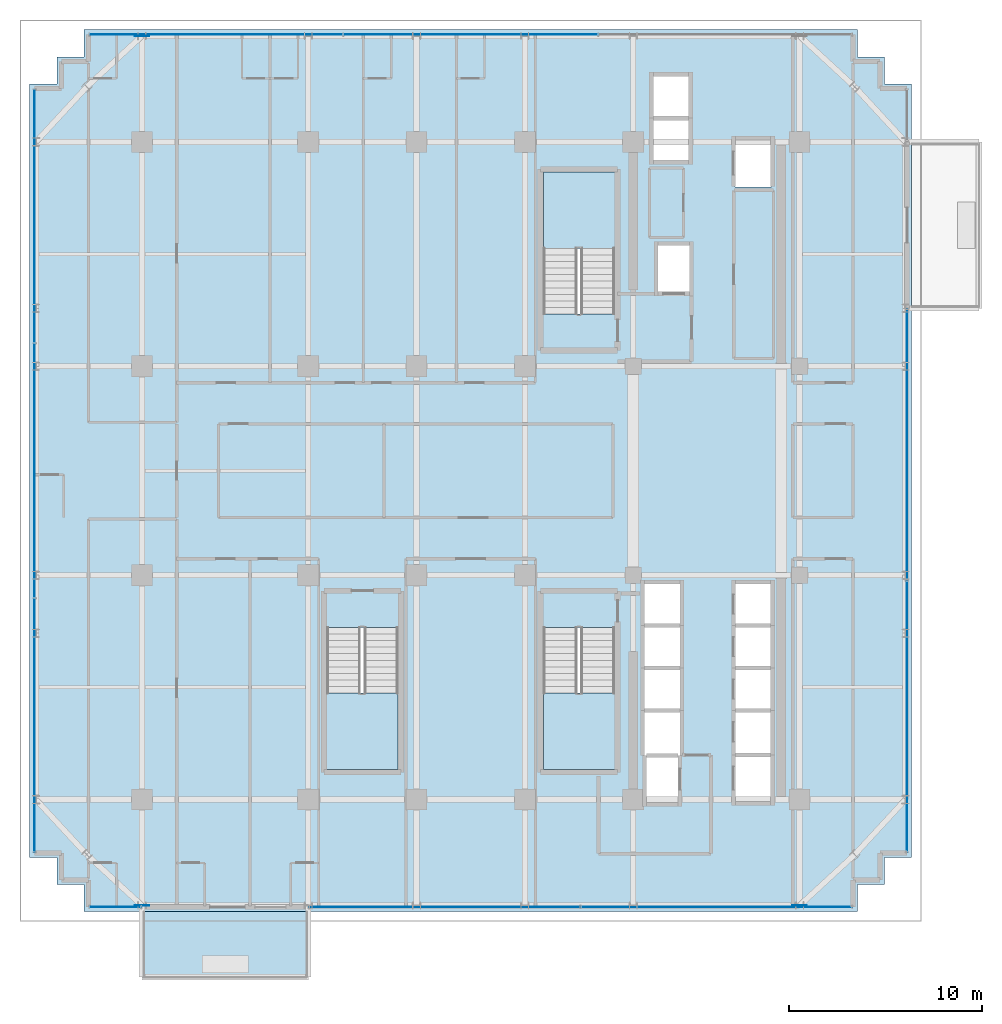
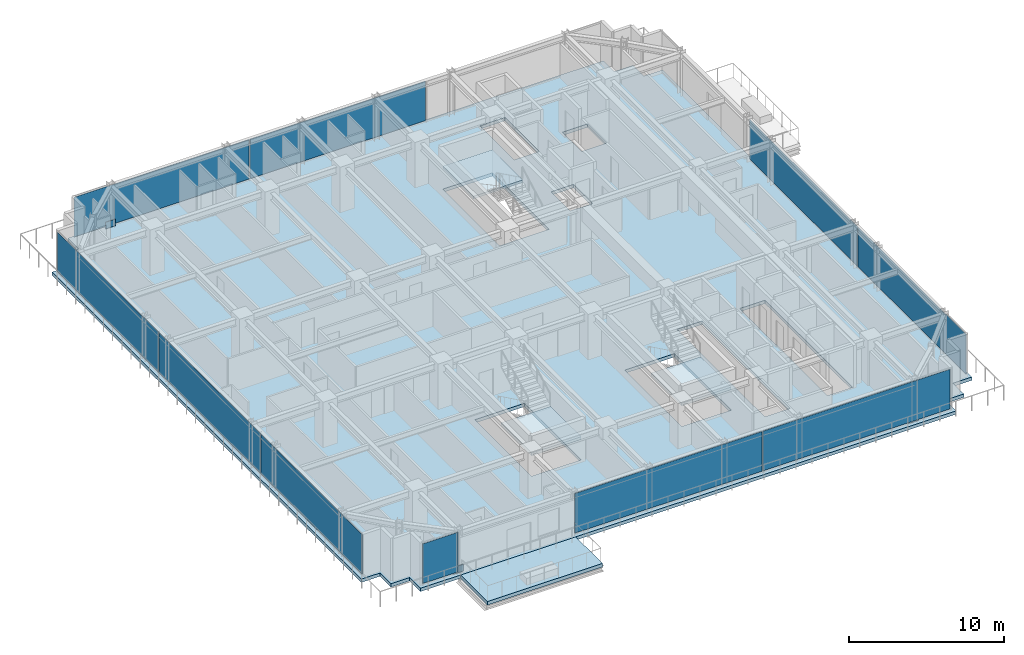
# One storey, part 24 of 33: 13 plates, 5 slabs, 8 elements without a shape of their own.
"""IFC4 building model written with IfcOpenShell, lengths in metres."""

from ifc_helpers import new_model, si_unit, direction, frame, origin, origin_2d, place, context, subcontext, project, spatial, polyline, rectangle, outline, extrude, source, transform, mapped, material, layer, layer_set, type_object, element, aggregate, save


model = new_model("IFC4")

# Units and contexts
model_context = context("Model", 3, precision=1e-05, world=origin(), true_north=direction((0.0, 1.0)))
body_context = subcontext(model_context, "Body", "Model", "MODEL_VIEW")
ifc_project = project(units=[si_unit("LENGTHUNIT", "METRE"), si_unit("AREAUNIT", "SQUARE_METRE"), si_unit("VOLUMEUNIT", "CUBIC_METRE"), si_unit("PLANEANGLEUNIT", "RADIAN"), si_unit("MASSUNIT", "GRAM", prefix="KILO")], contexts=[model_context])

# Site, building, storey
site_placement = place(None, origin())
site = spatial("IfcSite", under=ifc_project, at=site_placement, CompositionType="ELEMENT")
building_placement = place(site_placement, origin())
building = spatial("IfcBuilding", under=site, at=building_placement, Name="Nahalor Promenade Grand Hotel", CompositionType="ELEMENT")
storey_placement = place(building_placement, frame((0.0, 0.0, 149.0)))
storey = spatial("IfcBuildingStorey", under=building, at=storey_placement, Name="L37", CompositionType="ELEMENT", Elevation=149.0)

# Stair, slab
ifc_material_1 = material(Name="Concrete B-50 (C40/50)", Category="concrete")
stair_type_1 = type_object("IfcStairType", Name="Stair-ST1", PredefinedType="HALF_TURN_STAIR", material=ifc_material_1)
stair_1_placement = place(storey_placement, origin())
stair_1 = element("IfcStair", 1, at=stair_1_placement, inside=storey, type_object=stair_type_1, Name="L37 ST1", PredefinedType="HALF_TURN_STAIR")
ifc_layer_1 = layer(ifc_material_1, 0.199951171875)
ifc_layer_set_1 = layer_set([ifc_layer_1], Name="Concrete B-50 (C40/50)")
slab_type_1 = type_object("IfcSlabType", Name="Landing-ST1", PredefinedType="LANDING", material=ifc_layer_set_1)
slab_1_placement = place(storey_placement, frame((0.0, 0.0, 1.625)))
slab_1 = element("IfcSlab", 2, at=slab_1_placement, type_object=slab_type_1, Name="ST1 landing 1", PredefinedType="LANDING", context=body_context, shape_type="SweptSolid", body=[
    extrude(outline(polyline([(7.449951171875, 11.5), (7.449951171875, 15.449951171875), (3.75, 15.449951171875), (3.75, 11.5), (7.449951171875, 11.5)])), origin(), (0.0, 0.0, 1.0), 0.199951171875),
])
aggregate(stair_1, [slab_1])

stair_type_2 = type_object("IfcStairType", Name="Stair-ST2", PredefinedType="HALF_TURN_STAIR", material=ifc_material_1)
stair_2_placement = place(storey_placement, origin())
stair_2 = element("IfcStair", 3, at=stair_2_placement, inside=storey, type_object=stair_type_2, Name="L37 ST2", PredefinedType="HALF_TURN_STAIR")
ifc_layer_2 = layer(ifc_material_1, 0.2099609375)
ifc_layer_set_2 = layer_set([ifc_layer_2], Name="Concrete B-50 (C40/50)")
slab_type_2 = type_object("IfcSlabType", Name="Landing-ST2", PredefinedType="LANDING", material=ifc_layer_set_2)
slab_2_placement = place(storey_placement, frame((0.0, 0.0, 1.614990234375)))
slab_2 = element("IfcSlab", 4, at=slab_2_placement, type_object=slab_type_2, Name="ST2 landing 1", PredefinedType="LANDING", context=body_context, shape_type="SweptSolid", body=[
    extrude(outline(polyline([(3.75, -11.5), (3.75, -15.449951171875), (7.449951171875, -15.449951171875), (7.449951171875, -11.5), (3.75, -11.5)])), origin(), (0.0, 0.0, 1.0), 0.2099609375),
])
aggregate(stair_2, [slab_2])

stair_type_3 = type_object("IfcStairType", Name="Stair-ST3", PredefinedType="HALF_TURN_STAIR", material=ifc_material_1)
stair_3_placement = place(storey_placement, origin())
stair_3 = element("IfcStair", 5, at=stair_3_placement, inside=storey, type_object=stair_type_3, Name="L37 ST3", PredefinedType="HALF_TURN_STAIR")
ifc_layer_3 = layer(ifc_material_1, 0.219970703125)
ifc_layer_set_3 = layer_set([ifc_layer_3], Name="Concrete B-50 (C40/50)")
slab_type_3 = type_object("IfcSlabType", Name="Landing-ST3", PredefinedType="LANDING", material=ifc_layer_set_3)
slab_3_placement = place(storey_placement, frame((0.0, 0.0, 1.60498046875)))
slab_3 = element("IfcSlab", 6, at=slab_3_placement, type_object=slab_type_3, Name="ST3 landing 1", PredefinedType="LANDING", context=body_context, shape_type="SweptSolid", body=[
    extrude(outline(polyline([(-7.449951171875, -11.5), (-7.449951171875, -15.449951171875), (-3.75, -15.449951171875), (-3.75, -11.5), (-7.449951171875, -11.5)])), origin(), (0.0, 0.0, 1.0), 0.219970703125),
])
aggregate(stair_3, [slab_3])

# Slabs
ifc_layer_4 = layer(ifc_material_1, 0.280029296875)
ifc_layer_set_4 = layer_set([ifc_layer_4], Name="Concrete B-50 (C40/50)")
slab_type_4 = type_object("IfcSlabType", Name="Slab-Balcony-280", PredefinedType="FLOOR", material=ifc_layer_set_4)
slab_4_placement = place(storey_placement, frame((0.0, 0.0, -0.280029296875)))
element("IfcSlab", 7, at=slab_4_placement, inside=storey, type_object=slab_type_4, Name="L37 Cantilevered Planted Balcony 1", PredefinedType="FLOOR", context=body_context, shape_type="SweptSolid", body=[
    extrude(outline(polyline([(-17.0, -26.260009765625), (-8.39990234375, -26.260009765625), (-8.39990234375, -22.800048828125), (-17.0, -22.800048828125), (-17.0, -26.260009765625)])), origin(), (0.0, 0.0, 1.0), 0.280029296875),
])
ifc_layer_5 = layer(ifc_material_1, 0.260009765625)
ifc_layer_set_5 = layer_set([ifc_layer_5], Name="Concrete B-50 (C40/50)")
slab_type_5 = type_object("IfcSlabType", Name="Slab-TowerZ3-260", PredefinedType="FLOOR", material=ifc_layer_set_5)
slab_5_placement = place(storey_placement, frame((0.0, 0.0, -0.260009765625)))
element("IfcSlab", 8, at=slab_5_placement, inside=storey, type_object=slab_type_5, Name="L37 Suspended Structural Floor Slab", PredefinedType="FLOOR", context=body_context, shape_type="SweptSolid", body=[
    extrude(outline(polyline([(-20.0, -22.800048828125), (20.0, -22.800048828125), (20.0, -21.39990234375), (21.39990234375, -21.39990234375), (21.39990234375, -20.0), (22.800048828125, -20.0), (22.800048828125, 20.0), (21.39990234375, 20.0), (21.39990234375, 21.39990234375), (20.0, 21.39990234375), (20.0, 22.800048828125), (-20.0, 22.800048828125), (-20.0, 21.39990234375), (-21.39990234375, 21.39990234375), (-21.39990234375, 20.0), (-22.800048828125, 20.0), (-22.800048828125, -20.0), (-21.39990234375, -20.0), (-21.39990234375, -21.39990234375), (-20.0, -21.39990234375), (-20.0, -22.800048828125)]), holes=[polyline([(3.75, 8.10009765625), (7.449951171875, 8.10009765625), (7.449951171875, 15.449951171875), (3.75, 15.449951171875), (3.75, 8.10009765625)]), polyline([(3.75, -15.449951171875), (7.449951171875, -15.449951171875), (7.449951171875, -8.10009765625), (3.75, -8.10009765625), (3.75, -15.449951171875)]), polyline([(-7.449951171875, -15.449951171875), (-3.75, -15.449951171875), (-3.75, -8.10009765625), (-7.449951171875, -8.10009765625), (-7.449951171875, -15.449951171875)]), polyline([(13.659912109375, -17.139892578125), (15.5400390625, -17.139892578125), (15.5400390625, -5.81005859375), (13.659912109375, -5.81005859375), (13.659912109375, -17.139892578125)]), polyline([(8.9599609375, -17.18994140625), (10.840087890625, -17.18994140625), (10.840087890625, -5.81005859375), (8.9599609375, -5.81005859375), (8.9599609375, -17.18994140625)]), polyline([(9.409912109375, 16.010009765625), (11.2900390625, 16.010009765625), (11.2900390625, 20.43994140625), (9.409912109375, 20.43994140625), (9.409912109375, 16.010009765625)]), polyline([(9.659912109375, 9.2099609375), (11.340087890625, 9.2099609375), (11.340087890625, 11.68994140625), (9.659912109375, 11.68994140625), (9.659912109375, 9.2099609375)]), polyline([(13.659912109375, 14.659912109375), (15.5400390625, 14.659912109375), (15.5400390625, 17.139892578125), (13.659912109375, 17.139892578125), (13.659912109375, 14.659912109375)])]), origin(), (0.0, 0.0, 1.0), 0.260009765625),
])

# Plates
ifc_material_2 = material(Name="Steel S355JR", Category="steel")
ifc_layer_6 = layer(ifc_material_2, 0.028076171875)
ifc_layer_set_6 = layer_set([ifc_layer_6], Name="Steel S355JR")
plate_type_1 = type_object("IfcPlateType", Name="Plate-Gusset-28", PredefinedType="USERDEFINED", material=ifc_layer_set_6)
shared_shape_1 = source(origin(), body_context, "Body", "SweptSolid", [
    extrude(rectangle(XDim=0.75, YDim=0.028076171875, at=origin_2d()), origin(), (0.0, 0.0, 1.0), 0.75),
])
for number, where, z_axis, x_axis, name in (
    (9, (-17.0, -22.47998046875, -0.22509765625), (0.0, 0.0, 1.0), (1.0, 0.0, 0.0), "PL-L37-KN1-SW"),
    (10, (-17.0, 22.47998046875, -0.22509765625), (0.0, 0.0, 1.0), (1.0, 0.0, 0.0), "PL-L37-KN1-NW"),
    (11, (17.0, -22.47998046875, -0.22509765625), (0.0, 0.0, 1.0), (1.0, 0.0, 0.0), "PL-L37-KN1-SE"),
):
    element("IfcPlate", number, at=place(storey_placement, frame(where, z_axis=z_axis, x_axis=x_axis)), inside=storey, type_object=plate_type_1, Name=name, ObjectType="GUSSET_PLATE", PredefinedType="USERDEFINED", context=body_context, shape_type="MappedRepresentation", body=[
        mapped(shared_shape_1, transform((0.0, 0.0, 0.0), scale=1.0)),
    ])

# Curtain wall, plate
ifc_material_3 = material(Name="Anodised Bronze Aluminium EN AW-6063 T6", Category="aluminium")
curtain_wall_type = type_object("IfcCurtainWallType", Name="CW2 Typical Hotel Flush Bronze Unitised Curtain Wall", PredefinedType="USERDEFINED", material=ifc_material_3)
curtain_wall_1_placement = place(storey_placement, origin())
curtain_wall_1 = element("IfcCurtainWall", 12, at=curtain_wall_1_placement, inside=storey, type_object=curtain_wall_type, Name="L37 Curtain Wall CW-L37-S-1", ObjectType="UNITISED_CURTAIN_WALL", PredefinedType="USERDEFINED")
ifc_material_4 = material(Name="Low-E Laminated Solar Glass", Category="glass")
ifc_layer_7 = layer(ifc_material_4, 0.028076171875)
ifc_layer_set_7 = layer_set([ifc_layer_7], Name="Low-E Laminated Solar Glass")
plate_type_2 = type_object("IfcPlateType", Name="CWP2 Bronze Low-E Vision IGU 28mm", PredefinedType="CURTAIN_PANEL", material=ifc_layer_set_7)
shared_shape_2 = source(origin(), body_context, "Body", "SweptSolid", [
    extrude(rectangle(XDim=2.6298828125, YDim=0.028076171875, at=origin_2d()), origin(), (0.0, 0.0, 1.0), 3.1298828125),
])
plate_1_placement = place(storey_placement, frame((-18.3798828125, -22.56005859375, 0.130126953125), z_axis=(0.0, 0.0, 1.0), x_axis=(1.0, 0.0, 0.0)))
plate_1 = element("IfcPlate", 13, at=plate_1_placement, type_object=plate_type_2, Name="CW-L37-S-1 Glazing Panel 0-0", PredefinedType="CURTAIN_PANEL", context=body_context, shape_type="MappedRepresentation", body=[
    mapped(shared_shape_2, transform((0.0, 0.0, 0.0), scale=1.0)),
])
aggregate(curtain_wall_1, [plate_1])

# Curtain wall, plates
curtain_wall_2_placement = place(storey_placement, origin())
curtain_wall_2 = element("IfcCurtainWall", 14, at=curtain_wall_2_placement, inside=storey, type_object=curtain_wall_type, Name="L37 Curtain Wall CW-L37-S-3", ObjectType="UNITISED_CURTAIN_WALL", PredefinedType="USERDEFINED")
shared_shape_3 = source(origin(), body_context, "Body", "SweptSolid", [
    extrude(rectangle(XDim=13.982421875, YDim=0.028076171875, at=origin_2d()), origin(), (0.0, 0.0, 1.0), 3.1298828125),
])
plate_2_placement = place(storey_placement, frame((-1.34375, -22.56005859375, 0.130126953125), z_axis=(0.0, 0.0, 1.0), x_axis=(1.0, 0.0, 0.0)))
plate_2 = element("IfcPlate", 15, at=plate_2_placement, type_object=plate_type_2, Name="CW-L37-S-3 Glazing Panel 0-0", PredefinedType="CURTAIN_PANEL", context=body_context, shape_type="MappedRepresentation", body=[
    mapped(shared_shape_3, transform((0.0, 0.0, 0.0), scale=1.0)),
])
plate_3_placement = place(storey_placement, frame((12.703857421875, -22.56005859375, 0.130126953125), z_axis=(0.0, 0.0, 1.0), x_axis=(1.0, 0.0, 0.0)))
plate_3 = element("IfcPlate", 16, at=plate_3_placement, type_object=plate_type_2, Name="CW-L37-S-3 Glazing Panel 1-0", PredefinedType="CURTAIN_PANEL", context=body_context, shape_type="MappedRepresentation", body=[
    mapped(shared_shape_3, transform((0.0, 0.0, 0.0), scale=1.0)),
])
aggregate(curtain_wall_2, [plate_2, plate_3])

curtain_wall_3_placement = place(storey_placement, origin())
curtain_wall_3 = element("IfcCurtainWall", 17, at=curtain_wall_3_placement, inside=storey, type_object=curtain_wall_type, Name="L37 Curtain Wall CW-L37-E-1", ObjectType="UNITISED_CURTAIN_WALL", PredefinedType="USERDEFINED")
plate_4_placement = place(storey_placement, frame((22.56005859375, -12.703857421875, 0.130126953125), z_axis=(0.0, 0.0, 1.0), x_axis=(0.0, 1.0, 0.0)))
plate_4 = element("IfcPlate", 18, at=plate_4_placement, type_object=plate_type_2, Name="CW-L37-E-1 Glazing Panel 0-0", PredefinedType="CURTAIN_PANEL", context=body_context, shape_type="MappedRepresentation", body=[
    mapped(shared_shape_3, transform((0.0, 0.0, 0.0), scale=1.0)),
])
plate_5_placement = place(storey_placement, frame((22.56005859375, 1.34375, 0.130126953125), z_axis=(0.0, 0.0, 1.0), x_axis=(0.0, 1.0, 0.0)))
plate_5 = element("IfcPlate", 19, at=plate_5_placement, type_object=plate_type_2, Name="CW-L37-E-1 Glazing Panel 1-0", PredefinedType="CURTAIN_PANEL", context=body_context, shape_type="MappedRepresentation", body=[
    mapped(shared_shape_3, transform((0.0, 0.0, 0.0), scale=1.0)),
])
aggregate(curtain_wall_3, [plate_4, plate_5])

# Curtain wall, plate
curtain_wall_4_placement = place(storey_placement, origin())
curtain_wall_4 = element("IfcCurtainWall", 20, at=curtain_wall_4_placement, inside=storey, type_object=curtain_wall_type, Name="L37 Curtain Wall CW-L37-N-1", ObjectType="UNITISED_CURTAIN_WALL", PredefinedType="USERDEFINED")
shared_shape_4 = source(origin(), body_context, "Body", "SweptSolid", [
    extrude(rectangle(XDim=13.075927734375, YDim=0.028076171875, at=origin_2d()), origin(), (0.0, 0.0, 1.0), 3.1298828125),
])
plate_6_placement = place(storey_placement, frame((-13.156982421875, 22.56005859375, 0.130126953125), z_axis=(0.0, 0.0, 1.0), x_axis=(1.0, 0.0, 0.0)))
plate_6 = element("IfcPlate", 21, at=plate_6_placement, type_object=plate_type_2, Name="CW-L37-N-1 Glazing Panel 0-0", PredefinedType="CURTAIN_PANEL", context=body_context, shape_type="MappedRepresentation", body=[
    mapped(shared_shape_4, transform((0.0, 0.0, 0.0), scale=1.0)),
])

# Curtain wall, plates
curtain_wall_5_placement = place(storey_placement, origin())
curtain_wall_5 = element("IfcCurtainWall", 22, at=curtain_wall_5_placement, inside=storey, type_object=curtain_wall_type, Name="L37 Curtain Wall CW-L37-W-1", ObjectType="UNITISED_CURTAIN_WALL", PredefinedType="USERDEFINED")
plate_7_placement = place(storey_placement, frame((-22.56005859375, -13.156982421875, 0.130126953125), z_axis=(0.0, 0.0, 1.0), x_axis=(0.0, 1.0, 0.0)))
plate_7 = element("IfcPlate", 23, at=plate_7_placement, type_object=plate_type_2, Name="CW-L37-W-1 Glazing Panel 0-0", PredefinedType="CURTAIN_PANEL", context=body_context, shape_type="MappedRepresentation", body=[
    mapped(shared_shape_4, transform((0.0, 0.0, 0.0), scale=1.0)),
])
plate_8_placement = place(storey_placement, frame((-22.56005859375, 13.156982421875, 0.130126953125), z_axis=(0.0, 0.0, 1.0), x_axis=(0.0, 1.0, 0.0)))
plate_8 = element("IfcPlate", 24, at=plate_8_placement, type_object=plate_type_2, Name="CW-L37-W-1 Glazing Panel 2-0", PredefinedType="CURTAIN_PANEL", context=body_context, shape_type="MappedRepresentation", body=[
    mapped(shared_shape_4, transform((0.0, 0.0, 0.0), scale=1.0)),
])

# Plate
shared_shape_5 = source(origin(), body_context, "Body", "SweptSolid", [
    extrude(rectangle(XDim=13.1083984375, YDim=0.028076171875, at=origin_2d()), origin(), (0.0, 0.0, 1.0), 3.1298828125),
])
plate_9_placement = place(storey_placement, frame((0.0, 22.56005859375, 0.130126953125), z_axis=(0.0, 0.0, 1.0), x_axis=(1.0, 0.0, 0.0)))
plate_9 = element("IfcPlate", 25, at=plate_9_placement, type_object=plate_type_2, Name="CW-L37-N-1 Glazing Panel 1-0", PredefinedType="CURTAIN_PANEL", context=body_context, shape_type="MappedRepresentation", body=[
    mapped(shared_shape_5, transform((0.0, 0.0, 0.0), scale=1.0)),
])

aggregate(curtain_wall_4, [plate_6, plate_9])

plate_10_placement = place(storey_placement, frame((-22.56005859375, 0.0, 0.130126953125), z_axis=(0.0, 0.0, 1.0), x_axis=(0.0, 1.0, 0.0)))
plate_10 = element("IfcPlate", 26, at=plate_10_placement, type_object=plate_type_2, Name="CW-L37-W-1 Glazing Panel 1-0", PredefinedType="CURTAIN_PANEL", context=body_context, shape_type="MappedRepresentation", body=[
    mapped(shared_shape_5, transform((0.0, 0.0, 0.0), scale=1.0)),
])

aggregate(curtain_wall_5, [plate_7, plate_10, plate_8])

save(model, "model.ifc")
